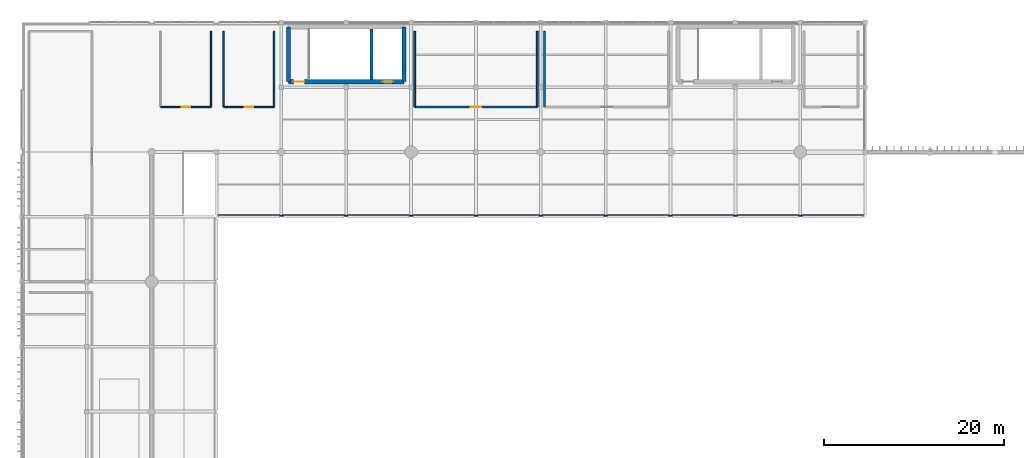
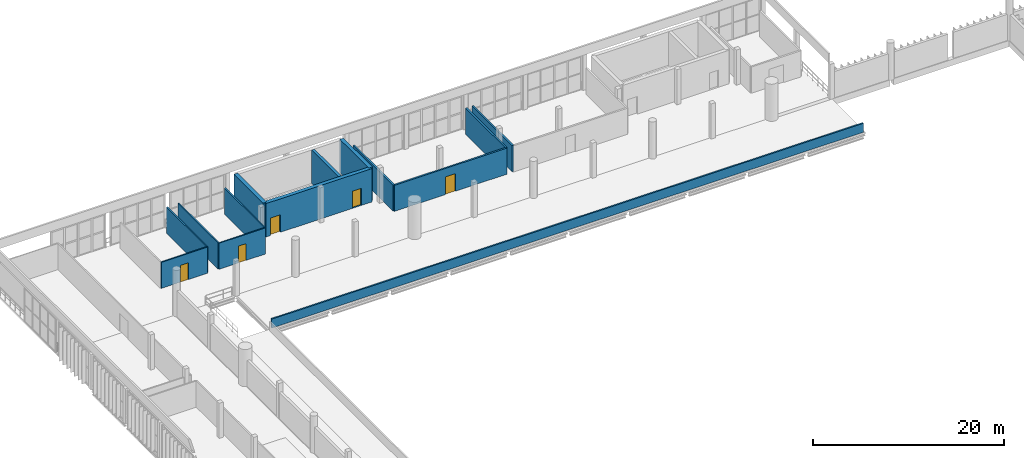
# One storey, part 47 of 64: 14 walls, 5 doors, 5 openings.
"""IFC4 building model written with IfcOpenShell, lengths in metres."""

from ifc_helpers import new_model, si_unit, direction, frame, frame_2d, origin, place, context, subcontext, project, spatial, rectangle, extrude, material, layer, layer_set, type_object, element, fill, save


model = new_model("IFC4")

# Units and contexts
model_context = context("Model", 3, precision=1e-05, world=origin(), true_north=direction((0.0, 1.0)))
body_context = subcontext(model_context, "Body", "Model", "MODEL_VIEW")
ifc_project = project(units=[si_unit("LENGTHUNIT", "METRE"), si_unit("AREAUNIT", "SQUARE_METRE"), si_unit("VOLUMEUNIT", "CUBIC_METRE"), si_unit("PLANEANGLEUNIT", "RADIAN"), si_unit("MASSUNIT", "GRAM", prefix="KILO")], contexts=[model_context])

# Site, building, storey
site_placement = place(None, origin())
site = spatial("IfcSite", under=ifc_project, at=site_placement, CompositionType="ELEMENT")
building_placement = place(site_placement, origin())
building = spatial("IfcBuilding", under=site, at=building_placement, Name="Qandorah Velis Arena", CompositionType="ELEMENT")
storey_placement = place(building_placement, frame((0.0, 0.0, 23.0)))
storey = spatial("IfcBuildingStorey", under=building, at=storey_placement, Name="L05", CompositionType="ELEMENT", Elevation=23.0)

# Wall, opening, door
ifc_material_1 = material(Name="Concrete C35/45", Category="concrete")
ifc_layer_1 = layer(ifc_material_1, 0.199951171875)
ifc_layer_set_1 = layer_set([ifc_layer_1], Name="Concrete C35/45")
wall_type_1 = type_object("IfcWallType", Name="ARC-WAL-FD60-200", PredefinedType="PARTITIONING", material=ifc_layer_set_1)
wall_1_placement = place(storey_placement, frame((43.60009765625, 120.199951171875, 0.0), z_axis=(0.0, 0.0, 1.0), x_axis=(1.0, 0.0, 0.0)))
wall_1 = element("IfcWall", 1, at=wall_1_placement, inside=storey, type_object=wall_type_1, Name="Interior partition L05-RIG-CTL (S)", PredefinedType="PARTITIONING", context=body_context, shape_type="SweptSolid", body=[
    extrude(rectangle(XDim=13.599853515625, YDim=0.199951171875, at=frame_2d((6.7998046875, 0.0))), origin(), (0.0, 0.0, 1.0), 3.340087890625),
])
opening_1_placement = place(wall_1_placement, frame((6.199951171875, 0.0, 0.0)))
opening_1 = element("IfcOpeningElement", 2, at=opening_1_placement, cuts=wall_1, Name="Opening FD2", PredefinedType="OPENING", context=body_context, shape_type="SweptSolid", body=[
    extrude(rectangle(XDim=1.199951171875, YDim=2.25, at=frame_2d((0.60009765625, 1.125))), frame((0.0, 0.10986328125, 0.0), z_axis=(0.0, -1.0, 0.0), x_axis=(1.0, 0.0, 0.0)), (0.0, 0.0, 1.0), 0.219970703125),
])
ifc_material_2 = material(Name="Insulated fire-rated single steel door", Category="steel")
door_type_1 = type_object("IfcDoorType", Name="ARC-DR-FD1200", OperationType="NOTDEFINED", PredefinedType="DOOR", material=ifc_material_2)
door_1_placement = place(opening_1_placement, frame((1.199951171875, 0.0, 0.0), z_axis=(0.0, 0.0, 1.0), x_axis=(-1.0, 0.0, 0.0)))
door_1 = element("IfcDoor", 3, at=door_1_placement, inside=storey, type_object=door_type_1, Name="Door L05-RIG-CTL", OperationType="SINGLE_SWING_RIGHT", OverallHeight=2.25, OverallWidth=1.199951171875, PredefinedType="DOOR", context=body_context, shape_type="SweptSolid", body=[
    extrude(rectangle(XDim=1.199951171875, YDim=2.25, at=frame_2d((0.60009765625, 1.125))), frame((0.0, 0.02490234375, 0.0), z_axis=(0.0, -1.0, 0.0), x_axis=(1.0, 0.0, 0.0)), (0.0, 0.0, 1.0), 0.050048828125),
])
fill(opening_1, door_1)

# Walls
for number, where, z_axis, x_axis, name in (
    (4, (57.199951171875, 120.199951171875, 0.0), (0.0, 0.0, 1.0), (0.0, 1.0, 0.0), "Interior partition L05-RIG-CTL (E)"),
    (5, (43.60009765625, 128.60009765625, 0.0), (0.0, 0.0, 1.0), (0.0, -1.0, 0.0), "Interior partition L05-RIG-CTL (W)"),
    (6, (58.0, 128.60009765625, 0.0), (0.0, 0.0, 1.0), (0.0, -1.0, 0.0), "Interior partition L05-SCR-CTL (W)"),
):
    element("IfcWall", number, at=place(storey_placement, frame(where, z_axis=z_axis, x_axis=x_axis)), inside=storey, type_object=wall_type_1, Name=name, PredefinedType="PARTITIONING", context=body_context, shape_type="SweptSolid", body=[
        extrude(rectangle(XDim=8.400146484375, YDim=0.199951171875, at=frame_2d((4.2001953125, 0.0))), origin(), (0.0, 0.0, 1.0), 3.340087890625),
    ])
ifc_material_3 = material(Name="Precast concrete C40/50", Category="concrete")
ifc_layer_2 = layer(ifc_material_3, 0.179931640625)
ifc_layer_set_2 = layer_set([ifc_layer_2], Name="Precast concrete C40/50")
wall_type_2 = type_object("IfcWallType", Name="ARC-WAL-PAR180", PredefinedType="PARAPET", material=ifc_layer_set_2)
wall_2_placement = place(storey_placement, frame((21.800048828125, 108.14990234375, 0.0), z_axis=(0.0, 0.0, 1.0), x_axis=(1.0, 0.0, 0.0)))
element("IfcWall", 7, at=wall_2_placement, inside=storey, type_object=wall_type_2, Name="Roof perimeter parapet wall PW-08", PredefinedType="PARAPET", context=body_context, shape_type="SweptSolid", body=[
    extrude(rectangle(XDim=71.599853515625, YDim=0.179931640625, at=frame_2d((35.7998046875, 0.0))), origin(), (0.0, 0.0, 1.0), 1.14990234375),
])

# Wall, opening, door
ifc_layer_3 = layer(ifc_material_1, 0.14990234375)
ifc_layer_set_3 = layer_set([ifc_layer_3], Name="Concrete C35/45")
wall_type_3 = type_object("IfcWallType", Name="ARC-WAL-PART150", PredefinedType="PARTITIONING", material=ifc_layer_set_3)
wall_3_placement = place(storey_placement, frame((15.39990234375, 120.199951171875, 0.0), z_axis=(0.0, 0.0, 1.0), x_axis=(1.0, 0.0, 0.0)))
wall_3 = element("IfcWall", 8, at=wall_3_placement, inside=storey, type_object=wall_type_3, Name="Interior partition L05-L05-MWC (S)", PredefinedType="PARTITIONING", context=body_context, shape_type="SweptSolid", body=[
    extrude(rectangle(XDim=5.60009765625, YDim=0.14990234375, at=frame_2d((2.800048828125, 0.0))), origin(), (0.0, 0.0, 1.0), 3.340087890625),
])
opening_2_placement = place(wall_3_placement, frame((2.324951171875, 0.0, 0.0)))
opening_2 = element("IfcOpeningElement", 9, at=opening_2_placement, cuts=wall_3, Name="Opening D4", PredefinedType="OPENING", context=body_context, shape_type="SweptSolid", body=[
    extrude(rectangle(XDim=0.949951171875, YDim=2.14990234375, at=frame_2d((0.47509765625, 1.074951171875))), frame((0.0, 0.0849609375, 0.0), z_axis=(0.0, -1.0, 0.0), x_axis=(1.0, 0.0, 0.0)), (0.0, 0.0, 1.0), 0.169921875),
])
ifc_material_4 = material(Name="Moisture-resistant laminate door")
door_type_2 = type_object("IfcDoorType", Name="ARC-DR-WC950", OperationType="NOTDEFINED", PredefinedType="DOOR", material=ifc_material_4)
door_2_placement = place(opening_2_placement, origin())
door_2 = element("IfcDoor", 10, at=door_2_placement, inside=storey, type_object=door_type_2, Name="Door L05-L05-MWC", OperationType="SINGLE_SWING_LEFT", OverallHeight=2.14990234375, OverallWidth=0.949951171875, PredefinedType="DOOR", context=body_context, shape_type="SweptSolid", body=[
    extrude(rectangle(XDim=0.949951171875, YDim=2.14990234375, at=frame_2d((0.47509765625, 1.074951171875))), frame((0.0, 0.02490234375, 0.0), z_axis=(0.0, -1.0, 0.0), x_axis=(1.0, 0.0, 0.0)), (0.0, 0.0, 1.0), 0.050048828125),
])
fill(opening_2, door_2)

# Wall
wall_4_placement = place(storey_placement, frame((21.0, 120.199951171875, 0.0), z_axis=(0.0, 0.0, 1.0), x_axis=(0.0, 1.0, 0.0)))
element("IfcWall", 11, at=wall_4_placement, inside=storey, type_object=wall_type_3, Name="Interior partition L05-L05-MWC (E)", PredefinedType="PARTITIONING", context=body_context, shape_type="SweptSolid", body=[
    extrude(rectangle(XDim=8.400146484375, YDim=0.14990234375, at=frame_2d((4.2001953125, 0.0))), origin(), (0.0, 0.0, 1.0), 3.340087890625),
])

# Wall, opening, door
wall_5_placement = place(storey_placement, frame((22.39990234375, 120.199951171875, 0.0), z_axis=(0.0, 0.0, 1.0), x_axis=(1.0, 0.0, 0.0)))
wall_5 = element("IfcWall", 12, at=wall_5_placement, inside=storey, type_object=wall_type_3, Name="Interior partition L05-L05-FWC (S)", PredefinedType="PARTITIONING", context=body_context, shape_type="SweptSolid", body=[
    extrude(rectangle(XDim=5.60009765625, YDim=0.14990234375, at=frame_2d((2.800048828125, 0.0))), origin(), (0.0, 0.0, 1.0), 3.340087890625),
])
opening_3_placement = place(wall_5_placement, frame((2.324951171875, 0.0, 0.0)))
opening_3 = element("IfcOpeningElement", 13, at=opening_3_placement, cuts=wall_5, Name="Opening D4", PredefinedType="OPENING", context=body_context, shape_type="SweptSolid", body=[
    extrude(rectangle(XDim=0.949951171875, YDim=2.14990234375, at=frame_2d((0.47509765625, 1.074951171875))), frame((0.0, 0.0849609375, 0.0), z_axis=(0.0, -1.0, 0.0), x_axis=(1.0, 0.0, 0.0)), (0.0, 0.0, 1.0), 0.169921875),
])
door_3_placement = place(opening_3_placement, frame((0.949951171875, 0.0, 0.0), z_axis=(0.0, 0.0, 1.0), x_axis=(-1.0, 0.0, 0.0)))
door_3 = element("IfcDoor", 14, at=door_3_placement, inside=storey, type_object=door_type_2, Name="Door L05-L05-FWC", OperationType="SINGLE_SWING_RIGHT", OverallHeight=2.14990234375, OverallWidth=0.949951171875, PredefinedType="DOOR", context=body_context, shape_type="SweptSolid", body=[
    extrude(rectangle(XDim=0.949951171875, YDim=2.14990234375, at=frame_2d((0.47509765625, 1.074951171875))), frame((0.0, 0.02490234375, 0.0), z_axis=(0.0, -1.0, 0.0), x_axis=(1.0, 0.0, 0.0)), (0.0, 0.0, 1.0), 0.050048828125),
])
fill(opening_3, door_3)

# Walls
for number, where, z_axis, x_axis, name in (
    (15, (28.0, 120.199951171875, 0.0), (0.0, 0.0, 1.0), (0.0, 1.0, 0.0), "Interior partition L05-L05-FWC (E)"),
    (16, (22.39990234375, 128.60009765625, 0.0), (0.0, 0.0, 1.0), (0.0, -1.0, 0.0), "Interior partition L05-L05-FWC (W)"),
):
    element("IfcWall", number, at=place(storey_placement, frame(where, z_axis=z_axis, x_axis=x_axis)), inside=storey, type_object=wall_type_3, Name=name, PredefinedType="PARTITIONING", context=body_context, shape_type="SweptSolid", body=[
        extrude(rectangle(XDim=8.400146484375, YDim=0.14990234375, at=frame_2d((4.2001953125, 0.0))), origin(), (0.0, 0.0, 1.0), 3.340087890625),
    ])

# Wall, openings, doors
ifc_material_5 = material(Name="Concrete C40/50", Category="concrete")
ifc_layer_4 = layer(ifc_material_5, 0.449951171875)
ifc_layer_set_4 = layer_set([ifc_layer_4], Name="Concrete C40/50")
wall_type_4 = type_object("IfcWallType", Name="STR-WAL-CORE450", PredefinedType="SHEAR", material=ifc_layer_set_4)
wall_6_placement = place(storey_placement, frame((29.60009765625, 123.0, 0.0), z_axis=(0.0, 0.0, 1.0), x_axis=(1.0, 0.0, 0.0)))
wall_6 = element("IfcWall", 17, at=wall_6_placement, inside=storey, type_object=wall_type_4, Name="Core CORE-03 shear wall S (L05)", PredefinedType="SHEAR", context=body_context, shape_type="SweptSolid", body=[
    extrude(rectangle(XDim=12.7998046875, YDim=0.449951171875, at=frame_2d((6.39990234375, 0.0))), origin(), (0.0, 0.0, 1.0), 4.280029296875),
])
opening_4_placement = place(wall_6_placement, frame((0.550048828125, 0.0, 0.0)))
opening_4 = element("IfcOpeningElement", 18, at=opening_4_placement, cuts=wall_6, Name="Opening SD1", PredefinedType="OPENING", context=body_context, shape_type="SweptSolid", body=[
    extrude(rectangle(XDim=1.199951171875, YDim=2.25, at=frame_2d((0.60009765625, 1.125))), frame((0.0, 0.23486328125, 0.0), z_axis=(0.0, -1.0, 0.0), x_axis=(1.0, 0.0, 0.0)), (0.0, 0.0, 1.0), 0.469970703125),
])
opening_5_placement = place(wall_6_placement, frame((10.4580078125, 0.0, 0.0)))
opening_5 = element("IfcOpeningElement", 19, at=opening_5_placement, cuts=wall_6, Name="Opening LD1", PredefinedType="OPENING", context=body_context, shape_type="SweptSolid", body=[
    extrude(rectangle(XDim=1.10009765625, YDim=2.199951171875, at=frame_2d((0.550048828125, 1.10009765625))), frame((0.0, 0.23486328125, 0.0), z_axis=(0.0, -1.0, 0.0), x_axis=(1.0, 0.0, 0.0)), (0.0, 0.0, 1.0), 0.469970703125),
])
ifc_material_6 = material(Name="Stainless steel sliding lift landing door", Category="steel")
door_type_3 = type_object("IfcDoorType", Name="ARC-DR-LD1100", OperationType="NOTDEFINED", PredefinedType="DOOR", material=ifc_material_6)
door_4_placement = place(opening_5_placement, origin())
door_4 = element("IfcDoor", 20, at=door_4_placement, inside=storey, type_object=door_type_3, Name="Lift PL1 sliding landing door (L05)", OperationType="SLIDING_TO_LEFT", OverallHeight=2.199951171875, OverallWidth=1.10009765625, PredefinedType="DOOR", context=body_context, shape_type="SweptSolid", body=[
    extrude(rectangle(XDim=1.10009765625, YDim=2.199951171875, at=frame_2d((0.550048828125, 1.10009765625))), frame((0.0, 0.02490234375, 0.0), z_axis=(0.0, -1.0, 0.0), x_axis=(1.0, 0.0, 0.0)), (0.0, 0.0, 1.0), 0.050048828125),
])
fill(opening_5, door_4)
ifc_material_7 = material(Name="Self-closing fire-rated stair steel door", Category="steel")
door_type_4 = type_object("IfcDoorType", Name="ARC-DR-ST1200", OperationType="NOTDEFINED", PredefinedType="DOOR", material=ifc_material_7)
door_5_placement = place(opening_4_placement, origin())
door_5 = element("IfcDoor", 21, at=door_5_placement, inside=storey, type_object=door_type_4, Name="Stair ST3 fire door (L05)", OperationType="SINGLE_SWING_RIGHT", OverallHeight=2.25, OverallWidth=1.199951171875, PredefinedType="DOOR", context=body_context, shape_type="SweptSolid", body=[
    extrude(rectangle(XDim=1.199951171875, YDim=2.25, at=frame_2d((0.60009765625, 1.125))), frame((0.0, 0.02490234375, 0.0), z_axis=(0.0, -1.0, 0.0), x_axis=(1.0, 0.0, 0.0)), (0.0, 0.0, 1.0), 0.050048828125),
])
fill(opening_4, door_5)

# Walls
for number, where, z_axis, x_axis, name in (
    (22, (29.60009765625, 123.0, 0.0), (0.0, 0.0, 1.0), (0.0, 1.0, 0.0), "Core CORE-03 shear wall W (L05)"),
    (23, (42.39990234375, 123.0, 0.0), (0.0, 0.0, 1.0), (0.0, 1.0, 0.0), "Core CORE-03 shear wall E (L05)"),
):
    element("IfcWall", number, at=place(storey_placement, frame(where, z_axis=z_axis, x_axis=x_axis)), inside=storey, type_object=wall_type_4, Name=name, PredefinedType="SHEAR", context=body_context, shape_type="SweptSolid", body=[
        extrude(rectangle(XDim=6.10009765625, YDim=0.449951171875, at=frame_2d((3.050048828125, 0.0))), origin(), (0.0, 0.0, 1.0), 4.280029296875),
    ])
ifc_layer_5 = layer(ifc_material_5, 0.35009765625)
ifc_layer_set_5 = layer_set([ifc_layer_5], Name="Concrete C40/50")
wall_type_5 = type_object("IfcWallType", Name="STR-WAL-SH350", PredefinedType="SHEAR", material=ifc_layer_set_5)
wall_7_placement = place(storey_placement, frame((38.81591796875, 123.22509765625, 0.0), z_axis=(0.0, 0.0, 1.0), x_axis=(0.0, 1.0, 0.0)))
element("IfcWall", 24, at=wall_7_placement, inside=storey, type_object=wall_type_5, Name="Core CORE-03 shaft divider shear wall (L05)", PredefinedType="SHEAR", context=body_context, shape_type="SweptSolid", body=[
    extrude(rectangle(XDim=5.64990234375, YDim=0.35009765625, at=frame_2d((2.824951171875, 0.0))), origin(), (0.0, 0.0, 1.0), 4.280029296875),
])

save(model, "model.ifc")
